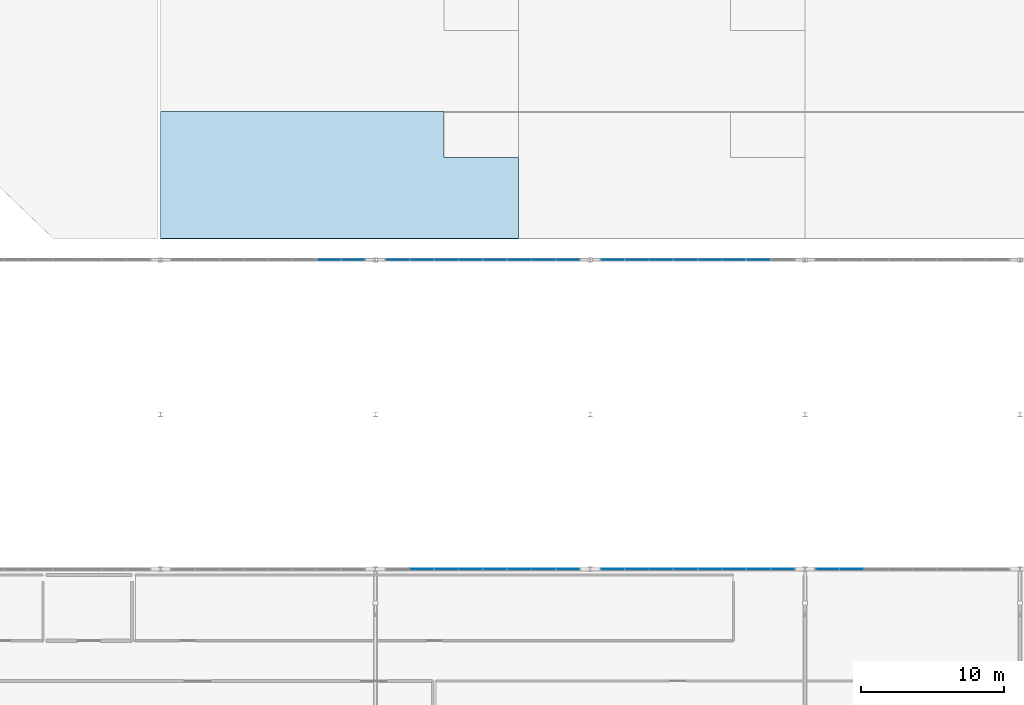
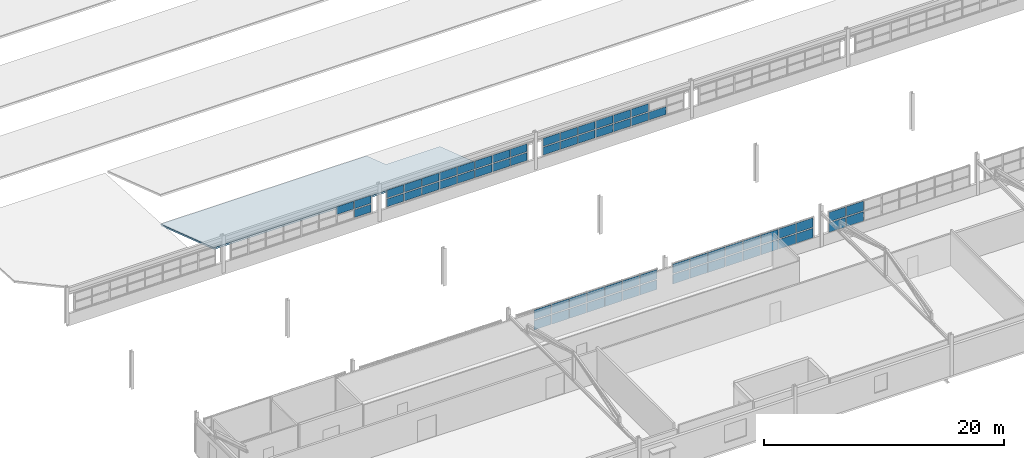
# One storey, part 45 of 90: 66 plates, 1 slab, 6 elements without a shape of their own.
"""IFC4 building model written with IfcOpenShell, lengths in metres."""

import ifcopenshell
import ifcopenshell.guid

model = None  # the IFC model being written
_history = None  # IfcOwnerHistory: only IFC2X3 demands one
_inside = {}  # id of a spatial element -> (the spatial element, [elements in it])
_under = {}  # id of a project, library or spatial element -> (it, [spatial elements below it])
_declared = {}  # id of a project -> (the project, [libraries it declares])
_typed = {}  # id of a type object -> (the type object, [elements of that type])
_made_of = {}  # id of a material, layer set ... -> (it, [elements and type objects made of it])


def new_model(schema):
    """Start an empty IFC model of exactly this schema.

    Asked for "IFC4X3", IfcOpenShell would pick the latest addendum, in which some entities
    have other attributes; the version numbers below select the first issue.
    IFC2X3 requires an IfcOwnerHistory on every rooted entity: one is made here for all.
    """
    global model, _history
    if schema == "IFC4X3":
        model = ifcopenshell.file(schema_version=(4, 3, 0, 0))
    else:
        model = ifcopenshell.file(schema=schema)
    _inside.clear()
    _under.clear()
    _declared.clear()
    _typed.clear()
    _made_of.clear()
    _history = None
    if model.schema == "IFC2X3":
        org = make("IfcOrganization", Name="unknown")
        user = make(
            "IfcPersonAndOrganization",
            ThePerson=make("IfcPerson", FamilyName="unknown"),
            TheOrganization=org,
        )
        app = make(
            "IfcApplication",
            ApplicationDeveloper=org,
            Version="unknown",
            ApplicationFullName="unknown",
            ApplicationIdentifier="unknown",
        )
        _history = make(
            "IfcOwnerHistory",
            OwningUser=user,
            OwningApplication=app,
            ChangeAction="ADDED",
            CreationDate=0,
        )
    return model


def make(cls, **values):
    """One entity of the class cls with the attributes given. An attribute that is None is left unset."""
    return model.create_entity(
        cls, **{name: value for name, value in values.items() if value is not None}
    )


def rooted(cls, **values):
    """An entity with a GlobalId (a new one), such as an element, a storey or a relation."""
    return make(cls, GlobalId=ifcopenshell.guid.new(), OwnerHistory=_history, **values)


def si_unit(unit_type, name, prefix=None):
    """IfcSIUnit, for example si_unit("LENGTHUNIT", "METRE", prefix="MILLI")."""
    return make("IfcSIUnit", UnitType=unit_type, Prefix=prefix, Name=name)


def assignment(units):
    """IfcUnitAssignment: the units of a project."""
    return None if units is None else make("IfcUnitAssignment", Units=units)


def point(xyz):
    """IfcCartesianPoint."""
    return None if xyz is None else make("IfcCartesianPoint", Coordinates=xyz)


def direction(xyz):
    """IfcDirection."""
    return None if xyz is None else make("IfcDirection", DirectionRatios=xyz)


def frame(location, z_axis=None, x_axis=None):
    """IfcAxis2Placement3D, a coordinate frame: its origin and axes. An axis left out is left unset."""
    return make(
        "IfcAxis2Placement3D",
        Location=point(location),
        Axis=direction(z_axis),
        RefDirection=direction(x_axis),
    )


def frame_2d(location, x_axis=None):
    """IfcAxis2Placement2D, a coordinate frame in the plane: its origin and x axis."""
    return make(
        "IfcAxis2Placement2D", Location=point(location), RefDirection=direction(x_axis)
    )


def origin():
    """The frame at (0, 0, 0) with its axes left unset."""
    return frame((0.0, 0.0, 0.0))


def origin_2d():
    """The frame at (0, 0) in the plane with its x axis left unset."""
    return frame_2d((0.0, 0.0))


def place(relative_to, where):
    """IfcLocalPlacement: puts the frame where relative to a parent placement (None: the world)."""
    return make(
        "IfcLocalPlacement", PlacementRelTo=relative_to, RelativePlacement=where
    )


def context(
    kind, dimensions, precision=None, world=None, true_north=None, identifier=None
):
    """IfcGeometricRepresentationContext, for example the 3D "Model" context."""
    return make(
        "IfcGeometricRepresentationContext",
        ContextIdentifier=identifier,
        ContextType=kind,
        CoordinateSpaceDimension=dimensions,
        Precision=precision,
        WorldCoordinateSystem=world,
        TrueNorth=true_north,
    )


def subcontext(parent, identifier, kind, view, scale=None):
    """IfcGeometricRepresentationSubContext, for example "Body" below "Model"."""
    return make(
        "IfcGeometricRepresentationSubContext",
        ContextIdentifier=identifier,
        ContextType=kind,
        ParentContext=parent,
        TargetScale=scale,
        TargetView=view,
    )


def project(units=None, contexts=None):
    """IfcProject with its units and contexts."""
    return rooted(
        "IfcProject",
        Name="project",
        RepresentationContexts=contexts,
        UnitsInContext=assignment(units),
    )


def spatial(cls, under=None, at=None, **own):
    """A site, building, storey or space (cls), placed at a placement, below another one or the project."""
    s = rooted(cls, ObjectPlacement=at, **own)
    if under is not None:
        _under.setdefault(under.id(), (under, []))[1].append(s)
    return s


def polyline(points):
    """IfcPolyline through the points."""
    return make("IfcPolyline", Points=[point(p) for p in points])


def profile(cls, at=None, kind="AREA", **sizes):
    """A parametric profile (cls). Its sizes go by their IFC names, for example OverallWidth=200.0."""
    return make(cls, ProfileType=kind, Position=at, **sizes)


def rectangle(**sizes):
    """IfcRectangleProfileDef."""
    return profile("IfcRectangleProfileDef", **sizes)


def outline(outer, holes=None, kind="AREA"):
    """IfcArbitraryClosedProfileDef: a profile drawn as a closed curve; with holes, ...WithVoids."""
    if holes is None:
        return make("IfcArbitraryClosedProfileDef", ProfileType=kind, OuterCurve=outer)
    return make(
        "IfcArbitraryProfileDefWithVoids",
        ProfileType=kind,
        OuterCurve=outer,
        InnerCurves=holes,
    )


def extrude(swept, where, along, depth):
    """IfcExtrudedAreaSolid: the profile swept, set in the frame where, extruded along a direction by depth."""
    return make(
        "IfcExtrudedAreaSolid",
        SweptArea=swept,
        Position=where,
        ExtrudedDirection=direction(along),
        Depth=depth,
    )


def shape(context_of_items, identifier, shape_type, items):
    """IfcShapeRepresentation: the items that make up one representation, for example the "Body"."""
    return make(
        "IfcShapeRepresentation",
        ContextOfItems=context_of_items,
        RepresentationIdentifier=identifier,
        RepresentationType=shape_type,
        Items=items,
    )


def material(Name=None, Category=None):
    """IfcMaterial."""
    return make("IfcMaterial", Name=Name, Category=Category)


def layer(
    of_material, thickness, ventilated=None, Name=None, Category=None, Priority=None
):
    """IfcMaterialLayer: one layer of a wall or slab, of a material (None: an air gap)."""
    return make(
        "IfcMaterialLayer",
        Material=of_material,
        LayerThickness=thickness,
        IsVentilated=ventilated,
        Name=Name,
        Category=Category,
        Priority=Priority,
    )


def layer_set(layers, Name=None):
    """IfcMaterialLayerSet."""
    return make("IfcMaterialLayerSet", MaterialLayers=layers, LayerSetName=Name)


def made_of(thing, what):
    """Note that an element or type object is made of a material, layer set ...; save() writes the relation."""
    if what is not None:
        _made_of.setdefault(what.id(), (what, []))[1].append(thing)
    return thing


def type_object(cls, material=None, **own):
    """A type object (cls), such as IfcWallType, which elements share."""
    return made_of(rooted(cls, **own), material)


def element(
    cls,
    number,
    at=None,
    inside=None,
    cuts=None,
    type_object=None,
    material=None,
    context=None,
    identifier="Body",
    shape_type=None,
    held_by="IfcProductDefinitionShape",
    body=None,
    shapes=None,
    **own,
):
    """One element of the class cls, such as IfcWall. Its Tag is "e" and its number.

    at: its placement. inside: the storey or other place that contains it. cuts: it is an
    opening in that element (IfcRelVoidsElement). A single representation is given by context,
    identifier, shape_type and body (its items); several are given by shapes. held_by: the class
    of the entity that holds the representations. save() writes the other relations.
    """
    e = rooted(cls, Tag="e%d" % number, ObjectPlacement=at, **own)
    if body is not None:
        shapes = [shape(context, identifier, shape_type, body)]
    if shapes is not None:
        e.Representation = make(held_by, Representations=shapes)
    if inside is not None:
        _inside.setdefault(inside.id(), (inside, []))[1].append(e)
    if cuts is not None:
        rooted(
            "IfcRelVoidsElement", RelatingBuildingElement=cuts, RelatedOpeningElement=e
        )
    if type_object is not None:
        _typed.setdefault(type_object.id(), (type_object, []))[1].append(e)
    return made_of(e, material)


def aggregate(whole, parts):
    """IfcRelAggregates: a whole, such as a stair, and the parts it consists of."""
    return rooted("IfcRelAggregates", RelatingObject=whole, RelatedObjects=parts)


def save(model, path):
    """Write the relations noted so far, then the file.

    IfcRelAggregates (storeys below a building ...), IfcRelContainedInSpatialStructure (elements
    in a storey), IfcRelDefinesByType, IfcRelAssociatesMaterial and IfcRelDeclares: one each for
    every whole, place, type object, material and project.
    """
    for whole, parts in _under.values():
        aggregate(whole, parts)
    for where, things in _inside.values():
        rooted(
            "IfcRelContainedInSpatialStructure",
            RelatedElements=things,
            RelatingStructure=where,
        )
    for kind, things in _typed.values():
        rooted("IfcRelDefinesByType", RelatedObjects=things, RelatingType=kind)
    for what, things in _made_of.values():
        rooted("IfcRelAssociatesMaterial", RelatedObjects=things, RelatingMaterial=what)
    for by, libraries in _declared.values():
        rooted("IfcRelDeclares", RelatingContext=by, RelatedDefinitions=libraries)
    model.write(path)


model = new_model("IFC4")

# Units and contexts
model_context = context("Model", 3, precision=1e-05, world=origin(), true_north=direction((0.0, 1.0)))
body_context = subcontext(model_context, "Body", "Model", "MODEL_VIEW")
ifc_project = project(units=[si_unit("LENGTHUNIT", "METRE"), si_unit("AREAUNIT", "SQUARE_METRE"), si_unit("VOLUMEUNIT", "CUBIC_METRE"), si_unit("PLANEANGLEUNIT", "RADIAN"), si_unit("MASSUNIT", "GRAM", prefix="KILO")], contexts=[model_context])

# Site, building, storey
site_placement = place(None, origin())
site = spatial("IfcSite", under=ifc_project, at=site_placement, CompositionType="ELEMENT")
building_placement = place(site_placement, origin())
building = spatial("IfcBuilding", under=site, at=building_placement, Name="Solanera Park Tramway Depot", CompositionType="ELEMENT")
storey_placement = place(building_placement, frame((0.0, 0.0, 9.0)))
storey = spatial("IfcBuildingStorey", under=building, at=storey_placement, Name="L02", CompositionType="ELEMENT", Elevation=9.0)

# Curtain wall, plates
ifc_material_1 = material(Name="Bronze-anodised thermally broken aluminium curtain wall", Category="aluminium")
curtain_wall_type = type_object("IfcCurtainWallType", Name="Workshop Daylight Ribbon Curtain Wall", PredefinedType="NOTDEFINED", material=ifc_material_1)
curtain_wall_1_placement = place(storey_placement, origin())
curtain_wall_1 = element("IfcCurtainWall", 1, at=curtain_wall_1_placement, inside=storey, type_object=curtain_wall_type, Name="L02 Workshop Daylight Ribbon Curtain Wall #154", PredefinedType="NOTDEFINED")
ifc_material_2 = material(Name="Low-E laminated solar-control double glazing", Category="glass")
ifc_layer_1 = layer(ifc_material_2, 0.028076171875)
ifc_layer_set_1 = layer_set([ifc_layer_1], Name="Low-E laminated solar-control double glazing")
plate_type = type_object("IfcPlateType", Name="Curtain Wall Double Glazing Panel 28", PredefinedType="CURTAIN_PANEL", material=ifc_layer_set_1)
plate_1_placement = place(storey_placement, frame((28.43359375, 54.0, 1.112060546875), z_axis=(0.0, 0.0, 1.0), x_axis=(-1.0, 0.0, 0.0)))
plate_1 = element("IfcPlate", 2, at=plate_1_placement, type_object=plate_type, Name="CW-L02-154 Glazing Panel R1.C1", PredefinedType="CURTAIN_PANEL", context=body_context, shape_type="SweptSolid", body=[
    extrude(rectangle(XDim=1.615478515625, YDim=0.028076171875, at=origin_2d()), origin(), (0.0, 0.0, 1.0), 0.7958984375),
])
plate_2_placement = place(storey_placement, frame((28.43359375, 54.0, 2.011962890625), z_axis=(0.0, 0.0, 1.0), x_axis=(-1.0, 0.0, 0.0)))
plate_2 = element("IfcPlate", 3, at=plate_2_placement, type_object=plate_type, Name="CW-L02-154 Glazing Panel R2.C1", PredefinedType="CURTAIN_PANEL", context=body_context, shape_type="SweptSolid", body=[
    extrude(rectangle(XDim=1.615478515625, YDim=0.028076171875, at=origin_2d()), origin(), (0.0, 0.0, 1.0), 0.7958984375),
])
plate_3_placement = place(storey_placement, frame((26.75, 54.0, 2.011962890625), z_axis=(0.0, 0.0, 1.0), x_axis=(-1.0, 0.0, 0.0)))
plate_3 = element("IfcPlate", 4, at=plate_3_placement, type_object=plate_type, Name="CW-L02-154 Glazing Panel R2.C2", PredefinedType="CURTAIN_PANEL", context=body_context, shape_type="SweptSolid", body=[
    extrude(rectangle(XDim=1.64794921875, YDim=0.028076171875, at=origin_2d()), origin(), (0.0, 0.0, 1.0), 0.7958984375),
])
aggregate(curtain_wall_1, [plate_1, plate_2, plate_3])

curtain_wall_2_placement = place(storey_placement, origin())
curtain_wall_2 = element("IfcCurtainWall", 5, at=curtain_wall_2_placement, inside=storey, type_object=curtain_wall_type, Name="L02 Workshop Daylight Ribbon Curtain Wall #156", PredefinedType="NOTDEFINED")
plate_4_placement = place(storey_placement, frame((43.43359375, 54.0, 1.112060546875), z_axis=(0.0, 0.0, 1.0), x_axis=(-1.0, 0.0, 0.0)))
plate_4 = element("IfcPlate", 6, at=plate_4_placement, type_object=plate_type, Name="CW-L02-156 Glazing Panel R1.C1", PredefinedType="CURTAIN_PANEL", context=body_context, shape_type="SweptSolid", body=[
    extrude(rectangle(XDim=1.615478515625, YDim=0.028076171875, at=origin_2d()), origin(), (0.0, 0.0, 1.0), 0.7958984375),
])
plate_5_placement = place(storey_placement, frame((41.75, 54.0, 1.112060546875), z_axis=(0.0, 0.0, 1.0), x_axis=(-1.0, 0.0, 0.0)))
plate_5 = element("IfcPlate", 7, at=plate_5_placement, type_object=plate_type, Name="CW-L02-156 Glazing Panel R1.C2", PredefinedType="CURTAIN_PANEL", context=body_context, shape_type="SweptSolid", body=[
    extrude(rectangle(XDim=1.64794921875, YDim=0.028076171875, at=origin_2d()), origin(), (0.0, 0.0, 1.0), 0.7958984375),
])
plate_6_placement = place(storey_placement, frame((40.050048828125, 54.0, 1.112060546875), z_axis=(0.0, 0.0, 1.0), x_axis=(-1.0, 0.0, 0.0)))
plate_6 = element("IfcPlate", 8, at=plate_6_placement, type_object=plate_type, Name="CW-L02-156 Glazing Panel R1.C3", PredefinedType="CURTAIN_PANEL", context=body_context, shape_type="SweptSolid", body=[
    extrude(rectangle(XDim=1.64794921875, YDim=0.028076171875, at=origin_2d()), origin(), (0.0, 0.0, 1.0), 0.7958984375),
])
plate_7_placement = place(storey_placement, frame((38.35009765625, 54.0, 1.112060546875), z_axis=(0.0, 0.0, 1.0), x_axis=(-1.0, 0.0, 0.0)))
plate_7 = element("IfcPlate", 9, at=plate_7_placement, type_object=plate_type, Name="CW-L02-156 Glazing Panel R1.C4", PredefinedType="CURTAIN_PANEL", context=body_context, shape_type="SweptSolid", body=[
    extrude(rectangle(XDim=1.64794921875, YDim=0.028076171875, at=origin_2d()), origin(), (0.0, 0.0, 1.0), 0.7958984375),
])
plate_8_placement = place(storey_placement, frame((36.64990234375, 54.0, 1.112060546875), z_axis=(0.0, 0.0, 1.0), x_axis=(-1.0, 0.0, 0.0)))
plate_8 = element("IfcPlate", 10, at=plate_8_placement, type_object=plate_type, Name="CW-L02-156 Glazing Panel R1.C5", PredefinedType="CURTAIN_PANEL", context=body_context, shape_type="SweptSolid", body=[
    extrude(rectangle(XDim=1.64794921875, YDim=0.028076171875, at=origin_2d()), origin(), (0.0, 0.0, 1.0), 0.7958984375),
])
plate_9_placement = place(storey_placement, frame((34.949951171875, 54.0, 1.112060546875), z_axis=(0.0, 0.0, 1.0), x_axis=(-1.0, 0.0, 0.0)))
plate_9 = element("IfcPlate", 11, at=plate_9_placement, type_object=plate_type, Name="CW-L02-156 Glazing Panel R1.C6", PredefinedType="CURTAIN_PANEL", context=body_context, shape_type="SweptSolid", body=[
    extrude(rectangle(XDim=1.64794921875, YDim=0.028076171875, at=origin_2d()), origin(), (0.0, 0.0, 1.0), 0.7958984375),
])
plate_10_placement = place(storey_placement, frame((33.25, 54.0, 1.112060546875), z_axis=(0.0, 0.0, 1.0), x_axis=(-1.0, 0.0, 0.0)))
plate_10 = element("IfcPlate", 12, at=plate_10_placement, type_object=plate_type, Name="CW-L02-156 Glazing Panel R1.C7", PredefinedType="CURTAIN_PANEL", context=body_context, shape_type="SweptSolid", body=[
    extrude(rectangle(XDim=1.64794921875, YDim=0.028076171875, at=origin_2d()), origin(), (0.0, 0.0, 1.0), 0.7958984375),
])
plate_11_placement = place(storey_placement, frame((31.56640625, 54.0, 1.112060546875), z_axis=(0.0, 0.0, 1.0), x_axis=(-1.0, 0.0, 0.0)))
plate_11 = element("IfcPlate", 13, at=plate_11_placement, type_object=plate_type, Name="CW-L02-156 Glazing Panel R1.C8", PredefinedType="CURTAIN_PANEL", context=body_context, shape_type="SweptSolid", body=[
    extrude(rectangle(XDim=1.615478515625, YDim=0.028076171875, at=origin_2d()), origin(), (0.0, 0.0, 1.0), 0.7958984375),
])
plate_12_placement = place(storey_placement, frame((43.43359375, 54.0, 2.011962890625), z_axis=(0.0, 0.0, 1.0), x_axis=(-1.0, 0.0, 0.0)))
plate_12 = element("IfcPlate", 14, at=plate_12_placement, type_object=plate_type, Name="CW-L02-156 Glazing Panel R2.C1", PredefinedType="CURTAIN_PANEL", context=body_context, shape_type="SweptSolid", body=[
    extrude(rectangle(XDim=1.615478515625, YDim=0.028076171875, at=origin_2d()), origin(), (0.0, 0.0, 1.0), 0.7958984375),
])
plate_13_placement = place(storey_placement, frame((41.75, 54.0, 2.011962890625), z_axis=(0.0, 0.0, 1.0), x_axis=(-1.0, 0.0, 0.0)))
plate_13 = element("IfcPlate", 15, at=plate_13_placement, type_object=plate_type, Name="CW-L02-156 Glazing Panel R2.C2", PredefinedType="CURTAIN_PANEL", context=body_context, shape_type="SweptSolid", body=[
    extrude(rectangle(XDim=1.64794921875, YDim=0.028076171875, at=origin_2d()), origin(), (0.0, 0.0, 1.0), 0.7958984375),
])
plate_14_placement = place(storey_placement, frame((40.050048828125, 54.0, 2.011962890625), z_axis=(0.0, 0.0, 1.0), x_axis=(-1.0, 0.0, 0.0)))
plate_14 = element("IfcPlate", 16, at=plate_14_placement, type_object=plate_type, Name="CW-L02-156 Glazing Panel R2.C3", PredefinedType="CURTAIN_PANEL", context=body_context, shape_type="SweptSolid", body=[
    extrude(rectangle(XDim=1.64794921875, YDim=0.028076171875, at=origin_2d()), origin(), (0.0, 0.0, 1.0), 0.7958984375),
])
plate_15_placement = place(storey_placement, frame((38.35009765625, 54.0, 2.011962890625), z_axis=(0.0, 0.0, 1.0), x_axis=(-1.0, 0.0, 0.0)))
plate_15 = element("IfcPlate", 17, at=plate_15_placement, type_object=plate_type, Name="CW-L02-156 Glazing Panel R2.C4", PredefinedType="CURTAIN_PANEL", context=body_context, shape_type="SweptSolid", body=[
    extrude(rectangle(XDim=1.64794921875, YDim=0.028076171875, at=origin_2d()), origin(), (0.0, 0.0, 1.0), 0.7958984375),
])
plate_16_placement = place(storey_placement, frame((36.64990234375, 54.0, 2.011962890625), z_axis=(0.0, 0.0, 1.0), x_axis=(-1.0, 0.0, 0.0)))
plate_16 = element("IfcPlate", 18, at=plate_16_placement, type_object=plate_type, Name="CW-L02-156 Glazing Panel R2.C5", PredefinedType="CURTAIN_PANEL", context=body_context, shape_type="SweptSolid", body=[
    extrude(rectangle(XDim=1.64794921875, YDim=0.028076171875, at=origin_2d()), origin(), (0.0, 0.0, 1.0), 0.7958984375),
])
plate_17_placement = place(storey_placement, frame((34.949951171875, 54.0, 2.011962890625), z_axis=(0.0, 0.0, 1.0), x_axis=(-1.0, 0.0, 0.0)))
plate_17 = element("IfcPlate", 19, at=plate_17_placement, type_object=plate_type, Name="CW-L02-156 Glazing Panel R2.C6", PredefinedType="CURTAIN_PANEL", context=body_context, shape_type="SweptSolid", body=[
    extrude(rectangle(XDim=1.64794921875, YDim=0.028076171875, at=origin_2d()), origin(), (0.0, 0.0, 1.0), 0.7958984375),
])
plate_18_placement = place(storey_placement, frame((33.25, 54.0, 2.011962890625), z_axis=(0.0, 0.0, 1.0), x_axis=(-1.0, 0.0, 0.0)))
plate_18 = element("IfcPlate", 20, at=plate_18_placement, type_object=plate_type, Name="CW-L02-156 Glazing Panel R2.C7", PredefinedType="CURTAIN_PANEL", context=body_context, shape_type="SweptSolid", body=[
    extrude(rectangle(XDim=1.64794921875, YDim=0.028076171875, at=origin_2d()), origin(), (0.0, 0.0, 1.0), 0.7958984375),
])
plate_19_placement = place(storey_placement, frame((31.56640625, 54.0, 2.011962890625), z_axis=(0.0, 0.0, 1.0), x_axis=(-1.0, 0.0, 0.0)))
plate_19 = element("IfcPlate", 21, at=plate_19_placement, type_object=plate_type, Name="CW-L02-156 Glazing Panel R2.C8", PredefinedType="CURTAIN_PANEL", context=body_context, shape_type="SweptSolid", body=[
    extrude(rectangle(XDim=1.615478515625, YDim=0.028076171875, at=origin_2d()), origin(), (0.0, 0.0, 1.0), 0.7958984375),
])
aggregate(curtain_wall_2, [plate_4, plate_5, plate_6, plate_7, plate_8, plate_9, plate_10, plate_11, plate_12, plate_13, plate_14, plate_15, plate_16, plate_17, plate_18, plate_19])

curtain_wall_3_placement = place(storey_placement, origin())
curtain_wall_3 = element("IfcCurtainWall", 22, at=curtain_wall_3_placement, inside=storey, type_object=curtain_wall_type, Name="L02 Workshop Daylight Ribbon Curtain Wall #157", PredefinedType="NOTDEFINED")
plate_20_placement = place(storey_placement, frame((33.25, 32.39990234375, 1.112060546875), z_axis=(0.0, 0.0, 1.0), x_axis=(1.0, 0.0, 0.0)))
plate_20 = element("IfcPlate", 23, at=plate_20_placement, type_object=plate_type, Name="CW-L02-157 Glazing Panel R1.C2", PredefinedType="CURTAIN_PANEL", context=body_context, shape_type="SweptSolid", body=[
    extrude(rectangle(XDim=1.64794921875, YDim=0.028076171875, at=origin_2d()), origin(), (0.0, 0.0, 1.0), 0.9609375),
])
plate_21_placement = place(storey_placement, frame((34.949951171875, 32.39990234375, 1.112060546875), z_axis=(0.0, 0.0, 1.0), x_axis=(1.0, 0.0, 0.0)))
plate_21 = element("IfcPlate", 24, at=plate_21_placement, type_object=plate_type, Name="CW-L02-157 Glazing Panel R1.C3", PredefinedType="CURTAIN_PANEL", context=body_context, shape_type="SweptSolid", body=[
    extrude(rectangle(XDim=1.64794921875, YDim=0.028076171875, at=origin_2d()), origin(), (0.0, 0.0, 1.0), 0.9609375),
])
plate_22_placement = place(storey_placement, frame((36.64990234375, 32.39990234375, 1.112060546875), z_axis=(0.0, 0.0, 1.0), x_axis=(1.0, 0.0, 0.0)))
plate_22 = element("IfcPlate", 25, at=plate_22_placement, type_object=plate_type, Name="CW-L02-157 Glazing Panel R1.C4", PredefinedType="CURTAIN_PANEL", context=body_context, shape_type="SweptSolid", body=[
    extrude(rectangle(XDim=1.64794921875, YDim=0.028076171875, at=origin_2d()), origin(), (0.0, 0.0, 1.0), 0.9609375),
])
plate_23_placement = place(storey_placement, frame((38.35009765625, 32.39990234375, 1.112060546875), z_axis=(0.0, 0.0, 1.0), x_axis=(1.0, 0.0, 0.0)))
plate_23 = element("IfcPlate", 26, at=plate_23_placement, type_object=plate_type, Name="CW-L02-157 Glazing Panel R1.C5", PredefinedType="CURTAIN_PANEL", context=body_context, shape_type="SweptSolid", body=[
    extrude(rectangle(XDim=1.64794921875, YDim=0.028076171875, at=origin_2d()), origin(), (0.0, 0.0, 1.0), 0.9609375),
])
plate_24_placement = place(storey_placement, frame((40.050048828125, 32.39990234375, 1.112060546875), z_axis=(0.0, 0.0, 1.0), x_axis=(1.0, 0.0, 0.0)))
plate_24 = element("IfcPlate", 27, at=plate_24_placement, type_object=plate_type, Name="CW-L02-157 Glazing Panel R1.C6", PredefinedType="CURTAIN_PANEL", context=body_context, shape_type="SweptSolid", body=[
    extrude(rectangle(XDim=1.64794921875, YDim=0.028076171875, at=origin_2d()), origin(), (0.0, 0.0, 1.0), 0.9609375),
])
plate_25_placement = place(storey_placement, frame((41.75, 32.39990234375, 1.112060546875), z_axis=(0.0, 0.0, 1.0), x_axis=(1.0, 0.0, 0.0)))
plate_25 = element("IfcPlate", 28, at=plate_25_placement, type_object=plate_type, Name="CW-L02-157 Glazing Panel R1.C7", PredefinedType="CURTAIN_PANEL", context=body_context, shape_type="SweptSolid", body=[
    extrude(rectangle(XDim=1.64794921875, YDim=0.028076171875, at=origin_2d()), origin(), (0.0, 0.0, 1.0), 0.9609375),
])
plate_26_placement = place(storey_placement, frame((43.43359375, 32.39990234375, 1.112060546875), z_axis=(0.0, 0.0, 1.0), x_axis=(1.0, 0.0, 0.0)))
plate_26 = element("IfcPlate", 29, at=plate_26_placement, type_object=plate_type, Name="CW-L02-157 Glazing Panel R1.C8", PredefinedType="CURTAIN_PANEL", context=body_context, shape_type="SweptSolid", body=[
    extrude(rectangle(XDim=1.615478515625, YDim=0.028076171875, at=origin_2d()), origin(), (0.0, 0.0, 1.0), 0.9609375),
])
plate_27_placement = place(storey_placement, frame((33.25, 32.39990234375, 2.177001953125), z_axis=(0.0, 0.0, 1.0), x_axis=(1.0, 0.0, 0.0)))
plate_27 = element("IfcPlate", 30, at=plate_27_placement, type_object=plate_type, Name="CW-L02-157 Glazing Panel R2.C2", PredefinedType="CURTAIN_PANEL", context=body_context, shape_type="SweptSolid", body=[
    extrude(rectangle(XDim=1.64794921875, YDim=0.028076171875, at=origin_2d()), origin(), (0.0, 0.0, 1.0), 0.9609375),
])
plate_28_placement = place(storey_placement, frame((34.949951171875, 32.39990234375, 2.177001953125), z_axis=(0.0, 0.0, 1.0), x_axis=(1.0, 0.0, 0.0)))
plate_28 = element("IfcPlate", 31, at=plate_28_placement, type_object=plate_type, Name="CW-L02-157 Glazing Panel R2.C3", PredefinedType="CURTAIN_PANEL", context=body_context, shape_type="SweptSolid", body=[
    extrude(rectangle(XDim=1.64794921875, YDim=0.028076171875, at=origin_2d()), origin(), (0.0, 0.0, 1.0), 0.9609375),
])
plate_29_placement = place(storey_placement, frame((36.64990234375, 32.39990234375, 2.177001953125), z_axis=(0.0, 0.0, 1.0), x_axis=(1.0, 0.0, 0.0)))
plate_29 = element("IfcPlate", 32, at=plate_29_placement, type_object=plate_type, Name="CW-L02-157 Glazing Panel R2.C4", PredefinedType="CURTAIN_PANEL", context=body_context, shape_type="SweptSolid", body=[
    extrude(rectangle(XDim=1.64794921875, YDim=0.028076171875, at=origin_2d()), origin(), (0.0, 0.0, 1.0), 0.9609375),
])
plate_30_placement = place(storey_placement, frame((38.35009765625, 32.39990234375, 2.177001953125), z_axis=(0.0, 0.0, 1.0), x_axis=(1.0, 0.0, 0.0)))
plate_30 = element("IfcPlate", 33, at=plate_30_placement, type_object=plate_type, Name="CW-L02-157 Glazing Panel R2.C5", PredefinedType="CURTAIN_PANEL", context=body_context, shape_type="SweptSolid", body=[
    extrude(rectangle(XDim=1.64794921875, YDim=0.028076171875, at=origin_2d()), origin(), (0.0, 0.0, 1.0), 0.9609375),
])
plate_31_placement = place(storey_placement, frame((40.050048828125, 32.39990234375, 2.177001953125), z_axis=(0.0, 0.0, 1.0), x_axis=(1.0, 0.0, 0.0)))
plate_31 = element("IfcPlate", 34, at=plate_31_placement, type_object=plate_type, Name="CW-L02-157 Glazing Panel R2.C6", PredefinedType="CURTAIN_PANEL", context=body_context, shape_type="SweptSolid", body=[
    extrude(rectangle(XDim=1.64794921875, YDim=0.028076171875, at=origin_2d()), origin(), (0.0, 0.0, 1.0), 0.9609375),
])
plate_32_placement = place(storey_placement, frame((41.75, 32.39990234375, 2.177001953125), z_axis=(0.0, 0.0, 1.0), x_axis=(1.0, 0.0, 0.0)))
plate_32 = element("IfcPlate", 35, at=plate_32_placement, type_object=plate_type, Name="CW-L02-157 Glazing Panel R2.C7", PredefinedType="CURTAIN_PANEL", context=body_context, shape_type="SweptSolid", body=[
    extrude(rectangle(XDim=1.64794921875, YDim=0.028076171875, at=origin_2d()), origin(), (0.0, 0.0, 1.0), 0.9609375),
])
plate_33_placement = place(storey_placement, frame((43.43359375, 32.39990234375, 2.177001953125), z_axis=(0.0, 0.0, 1.0), x_axis=(1.0, 0.0, 0.0)))
plate_33 = element("IfcPlate", 36, at=plate_33_placement, type_object=plate_type, Name="CW-L02-157 Glazing Panel R2.C8", PredefinedType="CURTAIN_PANEL", context=body_context, shape_type="SweptSolid", body=[
    extrude(rectangle(XDim=1.615478515625, YDim=0.028076171875, at=origin_2d()), origin(), (0.0, 0.0, 1.0), 0.9609375),
])
aggregate(curtain_wall_3, [plate_20, plate_21, plate_22, plate_23, plate_24, plate_25, plate_26, plate_27, plate_28, plate_29, plate_30, plate_31, plate_32, plate_33])

curtain_wall_4_placement = place(storey_placement, origin())
curtain_wall_4 = element("IfcCurtainWall", 37, at=curtain_wall_4_placement, inside=storey, type_object=curtain_wall_type, Name="L02 Workshop Daylight Ribbon Curtain Wall #158", PredefinedType="NOTDEFINED")
plate_34_placement = place(storey_placement, frame((56.75, 54.0, 1.112060546875), z_axis=(0.0, 0.0, 1.0), x_axis=(-1.0, 0.0, 0.0)))
plate_34 = element("IfcPlate", 38, at=plate_34_placement, type_object=plate_type, Name="CW-L02-158 Glazing Panel R1.C2", PredefinedType="CURTAIN_PANEL", context=body_context, shape_type="SweptSolid", body=[
    extrude(rectangle(XDim=1.64794921875, YDim=0.028076171875, at=origin_2d()), origin(), (0.0, 0.0, 1.0), 0.7958984375),
])
plate_35_placement = place(storey_placement, frame((55.050048828125, 54.0, 1.112060546875), z_axis=(0.0, 0.0, 1.0), x_axis=(-1.0, 0.0, 0.0)))
plate_35 = element("IfcPlate", 39, at=plate_35_placement, type_object=plate_type, Name="CW-L02-158 Glazing Panel R1.C3", PredefinedType="CURTAIN_PANEL", context=body_context, shape_type="SweptSolid", body=[
    extrude(rectangle(XDim=1.64794921875, YDim=0.028076171875, at=origin_2d()), origin(), (0.0, 0.0, 1.0), 0.7958984375),
])
plate_36_placement = place(storey_placement, frame((53.35009765625, 54.0, 1.112060546875), z_axis=(0.0, 0.0, 1.0), x_axis=(-1.0, 0.0, 0.0)))
plate_36 = element("IfcPlate", 40, at=plate_36_placement, type_object=plate_type, Name="CW-L02-158 Glazing Panel R1.C4", PredefinedType="CURTAIN_PANEL", context=body_context, shape_type="SweptSolid", body=[
    extrude(rectangle(XDim=1.64794921875, YDim=0.028076171875, at=origin_2d()), origin(), (0.0, 0.0, 1.0), 0.7958984375),
])
plate_37_placement = place(storey_placement, frame((51.64990234375, 54.0, 1.112060546875), z_axis=(0.0, 0.0, 1.0), x_axis=(-1.0, 0.0, 0.0)))
plate_37 = element("IfcPlate", 41, at=plate_37_placement, type_object=plate_type, Name="CW-L02-158 Glazing Panel R1.C5", PredefinedType="CURTAIN_PANEL", context=body_context, shape_type="SweptSolid", body=[
    extrude(rectangle(XDim=1.64794921875, YDim=0.028076171875, at=origin_2d()), origin(), (0.0, 0.0, 1.0), 0.7958984375),
])
plate_38_placement = place(storey_placement, frame((49.949951171875, 54.0, 1.112060546875), z_axis=(0.0, 0.0, 1.0), x_axis=(-1.0, 0.0, 0.0)))
plate_38 = element("IfcPlate", 42, at=plate_38_placement, type_object=plate_type, Name="CW-L02-158 Glazing Panel R1.C6", PredefinedType="CURTAIN_PANEL", context=body_context, shape_type="SweptSolid", body=[
    extrude(rectangle(XDim=1.64794921875, YDim=0.028076171875, at=origin_2d()), origin(), (0.0, 0.0, 1.0), 0.7958984375),
])
plate_39_placement = place(storey_placement, frame((48.25, 54.0, 1.112060546875), z_axis=(0.0, 0.0, 1.0), x_axis=(-1.0, 0.0, 0.0)))
plate_39 = element("IfcPlate", 43, at=plate_39_placement, type_object=plate_type, Name="CW-L02-158 Glazing Panel R1.C7", PredefinedType="CURTAIN_PANEL", context=body_context, shape_type="SweptSolid", body=[
    extrude(rectangle(XDim=1.64794921875, YDim=0.028076171875, at=origin_2d()), origin(), (0.0, 0.0, 1.0), 0.7958984375),
])
plate_40_placement = place(storey_placement, frame((46.56640625, 54.0, 1.112060546875), z_axis=(0.0, 0.0, 1.0), x_axis=(-1.0, 0.0, 0.0)))
plate_40 = element("IfcPlate", 44, at=plate_40_placement, type_object=plate_type, Name="CW-L02-158 Glazing Panel R1.C8", PredefinedType="CURTAIN_PANEL", context=body_context, shape_type="SweptSolid", body=[
    extrude(rectangle(XDim=1.615478515625, YDim=0.028076171875, at=origin_2d()), origin(), (0.0, 0.0, 1.0), 0.7958984375),
])
plate_41_placement = place(storey_placement, frame((55.050048828125, 54.0, 2.011962890625), z_axis=(0.0, 0.0, 1.0), x_axis=(-1.0, 0.0, 0.0)))
plate_41 = element("IfcPlate", 45, at=plate_41_placement, type_object=plate_type, Name="CW-L02-158 Glazing Panel R2.C3", PredefinedType="CURTAIN_PANEL", context=body_context, shape_type="SweptSolid", body=[
    extrude(rectangle(XDim=1.64794921875, YDim=0.028076171875, at=origin_2d()), origin(), (0.0, 0.0, 1.0), 0.7958984375),
])
plate_42_placement = place(storey_placement, frame((53.35009765625, 54.0, 2.011962890625), z_axis=(0.0, 0.0, 1.0), x_axis=(-1.0, 0.0, 0.0)))
plate_42 = element("IfcPlate", 46, at=plate_42_placement, type_object=plate_type, Name="CW-L02-158 Glazing Panel R2.C4", PredefinedType="CURTAIN_PANEL", context=body_context, shape_type="SweptSolid", body=[
    extrude(rectangle(XDim=1.64794921875, YDim=0.028076171875, at=origin_2d()), origin(), (0.0, 0.0, 1.0), 0.7958984375),
])
plate_43_placement = place(storey_placement, frame((51.64990234375, 54.0, 2.011962890625), z_axis=(0.0, 0.0, 1.0), x_axis=(-1.0, 0.0, 0.0)))
plate_43 = element("IfcPlate", 47, at=plate_43_placement, type_object=plate_type, Name="CW-L02-158 Glazing Panel R2.C5", PredefinedType="CURTAIN_PANEL", context=body_context, shape_type="SweptSolid", body=[
    extrude(rectangle(XDim=1.64794921875, YDim=0.028076171875, at=origin_2d()), origin(), (0.0, 0.0, 1.0), 0.7958984375),
])
plate_44_placement = place(storey_placement, frame((49.949951171875, 54.0, 2.011962890625), z_axis=(0.0, 0.0, 1.0), x_axis=(-1.0, 0.0, 0.0)))
plate_44 = element("IfcPlate", 48, at=plate_44_placement, type_object=plate_type, Name="CW-L02-158 Glazing Panel R2.C6", PredefinedType="CURTAIN_PANEL", context=body_context, shape_type="SweptSolid", body=[
    extrude(rectangle(XDim=1.64794921875, YDim=0.028076171875, at=origin_2d()), origin(), (0.0, 0.0, 1.0), 0.7958984375),
])
plate_45_placement = place(storey_placement, frame((48.25, 54.0, 2.011962890625), z_axis=(0.0, 0.0, 1.0), x_axis=(-1.0, 0.0, 0.0)))
plate_45 = element("IfcPlate", 49, at=plate_45_placement, type_object=plate_type, Name="CW-L02-158 Glazing Panel R2.C7", PredefinedType="CURTAIN_PANEL", context=body_context, shape_type="SweptSolid", body=[
    extrude(rectangle(XDim=1.64794921875, YDim=0.028076171875, at=origin_2d()), origin(), (0.0, 0.0, 1.0), 0.7958984375),
])
plate_46_placement = place(storey_placement, frame((46.56640625, 54.0, 2.011962890625), z_axis=(0.0, 0.0, 1.0), x_axis=(-1.0, 0.0, 0.0)))
plate_46 = element("IfcPlate", 50, at=plate_46_placement, type_object=plate_type, Name="CW-L02-158 Glazing Panel R2.C8", PredefinedType="CURTAIN_PANEL", context=body_context, shape_type="SweptSolid", body=[
    extrude(rectangle(XDim=1.615478515625, YDim=0.028076171875, at=origin_2d()), origin(), (0.0, 0.0, 1.0), 0.7958984375),
])
aggregate(curtain_wall_4, [plate_34, plate_35, plate_36, plate_37, plate_38, plate_39, plate_40, plate_41, plate_42, plate_43, plate_44, plate_45, plate_46])

curtain_wall_5_placement = place(storey_placement, origin())
curtain_wall_5 = element("IfcCurtainWall", 51, at=curtain_wall_5_placement, inside=storey, type_object=curtain_wall_type, Name="L02 Workshop Daylight Ribbon Curtain Wall #159", PredefinedType="NOTDEFINED")
plate_47_placement = place(storey_placement, frame((46.56640625, 32.39990234375, 1.112060546875), z_axis=(0.0, 0.0, 1.0), x_axis=(1.0, 0.0, 0.0)))
plate_47 = element("IfcPlate", 52, at=plate_47_placement, type_object=plate_type, Name="CW-L02-159 Glazing Panel R1.C1", PredefinedType="CURTAIN_PANEL", context=body_context, shape_type="SweptSolid", body=[
    extrude(rectangle(XDim=1.615478515625, YDim=0.028076171875, at=origin_2d()), origin(), (0.0, 0.0, 1.0), 0.9609375),
])
plate_48_placement = place(storey_placement, frame((48.25, 32.39990234375, 1.112060546875), z_axis=(0.0, 0.0, 1.0), x_axis=(1.0, 0.0, 0.0)))
plate_48 = element("IfcPlate", 53, at=plate_48_placement, type_object=plate_type, Name="CW-L02-159 Glazing Panel R1.C2", PredefinedType="CURTAIN_PANEL", context=body_context, shape_type="SweptSolid", body=[
    extrude(rectangle(XDim=1.64794921875, YDim=0.028076171875, at=origin_2d()), origin(), (0.0, 0.0, 1.0), 0.9609375),
])
plate_49_placement = place(storey_placement, frame((49.949951171875, 32.39990234375, 1.112060546875), z_axis=(0.0, 0.0, 1.0), x_axis=(1.0, 0.0, 0.0)))
plate_49 = element("IfcPlate", 54, at=plate_49_placement, type_object=plate_type, Name="CW-L02-159 Glazing Panel R1.C3", PredefinedType="CURTAIN_PANEL", context=body_context, shape_type="SweptSolid", body=[
    extrude(rectangle(XDim=1.64794921875, YDim=0.028076171875, at=origin_2d()), origin(), (0.0, 0.0, 1.0), 0.9609375),
])
plate_50_placement = place(storey_placement, frame((51.64990234375, 32.39990234375, 1.112060546875), z_axis=(0.0, 0.0, 1.0), x_axis=(1.0, 0.0, 0.0)))
plate_50 = element("IfcPlate", 55, at=plate_50_placement, type_object=plate_type, Name="CW-L02-159 Glazing Panel R1.C4", PredefinedType="CURTAIN_PANEL", context=body_context, shape_type="SweptSolid", body=[
    extrude(rectangle(XDim=1.64794921875, YDim=0.028076171875, at=origin_2d()), origin(), (0.0, 0.0, 1.0), 0.9609375),
])
plate_51_placement = place(storey_placement, frame((53.35009765625, 32.39990234375, 1.112060546875), z_axis=(0.0, 0.0, 1.0), x_axis=(1.0, 0.0, 0.0)))
plate_51 = element("IfcPlate", 56, at=plate_51_placement, type_object=plate_type, Name="CW-L02-159 Glazing Panel R1.C5", PredefinedType="CURTAIN_PANEL", context=body_context, shape_type="SweptSolid", body=[
    extrude(rectangle(XDim=1.64794921875, YDim=0.028076171875, at=origin_2d()), origin(), (0.0, 0.0, 1.0), 0.9609375),
])
plate_52_placement = place(storey_placement, frame((55.050048828125, 32.39990234375, 1.112060546875), z_axis=(0.0, 0.0, 1.0), x_axis=(1.0, 0.0, 0.0)))
plate_52 = element("IfcPlate", 57, at=plate_52_placement, type_object=plate_type, Name="CW-L02-159 Glazing Panel R1.C6", PredefinedType="CURTAIN_PANEL", context=body_context, shape_type="SweptSolid", body=[
    extrude(rectangle(XDim=1.64794921875, YDim=0.028076171875, at=origin_2d()), origin(), (0.0, 0.0, 1.0), 0.9609375),
])
plate_53_placement = place(storey_placement, frame((56.75, 32.39990234375, 1.112060546875), z_axis=(0.0, 0.0, 1.0), x_axis=(1.0, 0.0, 0.0)))
plate_53 = element("IfcPlate", 58, at=plate_53_placement, type_object=plate_type, Name="CW-L02-159 Glazing Panel R1.C7", PredefinedType="CURTAIN_PANEL", context=body_context, shape_type="SweptSolid", body=[
    extrude(rectangle(XDim=1.64794921875, YDim=0.028076171875, at=origin_2d()), origin(), (0.0, 0.0, 1.0), 0.9609375),
])
plate_54_placement = place(storey_placement, frame((58.43359375, 32.39990234375, 1.112060546875), z_axis=(0.0, 0.0, 1.0), x_axis=(1.0, 0.0, 0.0)))
plate_54 = element("IfcPlate", 59, at=plate_54_placement, type_object=plate_type, Name="CW-L02-159 Glazing Panel R1.C8", PredefinedType="CURTAIN_PANEL", context=body_context, shape_type="SweptSolid", body=[
    extrude(rectangle(XDim=1.615478515625, YDim=0.028076171875, at=origin_2d()), origin(), (0.0, 0.0, 1.0), 0.9609375),
])
plate_55_placement = place(storey_placement, frame((46.56640625, 32.39990234375, 2.177001953125), z_axis=(0.0, 0.0, 1.0), x_axis=(1.0, 0.0, 0.0)))
plate_55 = element("IfcPlate", 60, at=plate_55_placement, type_object=plate_type, Name="CW-L02-159 Glazing Panel R2.C1", PredefinedType="CURTAIN_PANEL", context=body_context, shape_type="SweptSolid", body=[
    extrude(rectangle(XDim=1.615478515625, YDim=0.028076171875, at=origin_2d()), origin(), (0.0, 0.0, 1.0), 0.9609375),
])
plate_56_placement = place(storey_placement, frame((48.25, 32.39990234375, 2.177001953125), z_axis=(0.0, 0.0, 1.0), x_axis=(1.0, 0.0, 0.0)))
plate_56 = element("IfcPlate", 61, at=plate_56_placement, type_object=plate_type, Name="CW-L02-159 Glazing Panel R2.C2", PredefinedType="CURTAIN_PANEL", context=body_context, shape_type="SweptSolid", body=[
    extrude(rectangle(XDim=1.64794921875, YDim=0.028076171875, at=origin_2d()), origin(), (0.0, 0.0, 1.0), 0.9609375),
])
plate_57_placement = place(storey_placement, frame((49.949951171875, 32.39990234375, 2.177001953125), z_axis=(0.0, 0.0, 1.0), x_axis=(1.0, 0.0, 0.0)))
plate_57 = element("IfcPlate", 62, at=plate_57_placement, type_object=plate_type, Name="CW-L02-159 Glazing Panel R2.C3", PredefinedType="CURTAIN_PANEL", context=body_context, shape_type="SweptSolid", body=[
    extrude(rectangle(XDim=1.64794921875, YDim=0.028076171875, at=origin_2d()), origin(), (0.0, 0.0, 1.0), 0.9609375),
])
plate_58_placement = place(storey_placement, frame((51.64990234375, 32.39990234375, 2.177001953125), z_axis=(0.0, 0.0, 1.0), x_axis=(1.0, 0.0, 0.0)))
plate_58 = element("IfcPlate", 63, at=plate_58_placement, type_object=plate_type, Name="CW-L02-159 Glazing Panel R2.C4", PredefinedType="CURTAIN_PANEL", context=body_context, shape_type="SweptSolid", body=[
    extrude(rectangle(XDim=1.64794921875, YDim=0.028076171875, at=origin_2d()), origin(), (0.0, 0.0, 1.0), 0.9609375),
])
plate_59_placement = place(storey_placement, frame((53.35009765625, 32.39990234375, 2.177001953125), z_axis=(0.0, 0.0, 1.0), x_axis=(1.0, 0.0, 0.0)))
plate_59 = element("IfcPlate", 64, at=plate_59_placement, type_object=plate_type, Name="CW-L02-159 Glazing Panel R2.C5", PredefinedType="CURTAIN_PANEL", context=body_context, shape_type="SweptSolid", body=[
    extrude(rectangle(XDim=1.64794921875, YDim=0.028076171875, at=origin_2d()), origin(), (0.0, 0.0, 1.0), 0.9609375),
])
plate_60_placement = place(storey_placement, frame((55.050048828125, 32.39990234375, 2.177001953125), z_axis=(0.0, 0.0, 1.0), x_axis=(1.0, 0.0, 0.0)))
plate_60 = element("IfcPlate", 65, at=plate_60_placement, type_object=plate_type, Name="CW-L02-159 Glazing Panel R2.C6", PredefinedType="CURTAIN_PANEL", context=body_context, shape_type="SweptSolid", body=[
    extrude(rectangle(XDim=1.64794921875, YDim=0.028076171875, at=origin_2d()), origin(), (0.0, 0.0, 1.0), 0.9609375),
])
plate_61_placement = place(storey_placement, frame((56.75, 32.39990234375, 2.177001953125), z_axis=(0.0, 0.0, 1.0), x_axis=(1.0, 0.0, 0.0)))
plate_61 = element("IfcPlate", 66, at=plate_61_placement, type_object=plate_type, Name="CW-L02-159 Glazing Panel R2.C7", PredefinedType="CURTAIN_PANEL", context=body_context, shape_type="SweptSolid", body=[
    extrude(rectangle(XDim=1.64794921875, YDim=0.028076171875, at=origin_2d()), origin(), (0.0, 0.0, 1.0), 0.9609375),
])
plate_62_placement = place(storey_placement, frame((58.43359375, 32.39990234375, 2.177001953125), z_axis=(0.0, 0.0, 1.0), x_axis=(1.0, 0.0, 0.0)))
plate_62 = element("IfcPlate", 67, at=plate_62_placement, type_object=plate_type, Name="CW-L02-159 Glazing Panel R2.C8", PredefinedType="CURTAIN_PANEL", context=body_context, shape_type="SweptSolid", body=[
    extrude(rectangle(XDim=1.615478515625, YDim=0.028076171875, at=origin_2d()), origin(), (0.0, 0.0, 1.0), 0.9609375),
])
aggregate(curtain_wall_5, [plate_47, plate_48, plate_49, plate_50, plate_51, plate_52, plate_53, plate_54, plate_55, plate_56, plate_57, plate_58, plate_59, plate_60, plate_61, plate_62])

curtain_wall_6_placement = place(storey_placement, origin())
curtain_wall_6 = element("IfcCurtainWall", 68, at=curtain_wall_6_placement, inside=storey, type_object=curtain_wall_type, Name="L02 Workshop Daylight Ribbon Curtain Wall #161", PredefinedType="NOTDEFINED")
plate_63_placement = place(storey_placement, frame((61.56640625, 32.39990234375, 1.112060546875), z_axis=(0.0, 0.0, 1.0), x_axis=(1.0, 0.0, 0.0)))
plate_63 = element("IfcPlate", 69, at=plate_63_placement, type_object=plate_type, Name="CW-L02-161 Glazing Panel R1.C1", PredefinedType="CURTAIN_PANEL", context=body_context, shape_type="SweptSolid", body=[
    extrude(rectangle(XDim=1.615478515625, YDim=0.028076171875, at=origin_2d()), origin(), (0.0, 0.0, 1.0), 0.9609375),
])
plate_64_placement = place(storey_placement, frame((63.25, 32.39990234375, 1.112060546875), z_axis=(0.0, 0.0, 1.0), x_axis=(1.0, 0.0, 0.0)))
plate_64 = element("IfcPlate", 70, at=plate_64_placement, type_object=plate_type, Name="CW-L02-161 Glazing Panel R1.C2", PredefinedType="CURTAIN_PANEL", context=body_context, shape_type="SweptSolid", body=[
    extrude(rectangle(XDim=1.64794921875, YDim=0.028076171875, at=origin_2d()), origin(), (0.0, 0.0, 1.0), 0.9609375),
])
plate_65_placement = place(storey_placement, frame((61.56640625, 32.39990234375, 2.177001953125), z_axis=(0.0, 0.0, 1.0), x_axis=(1.0, 0.0, 0.0)))
plate_65 = element("IfcPlate", 71, at=plate_65_placement, type_object=plate_type, Name="CW-L02-161 Glazing Panel R2.C1", PredefinedType="CURTAIN_PANEL", context=body_context, shape_type="SweptSolid", body=[
    extrude(rectangle(XDim=1.615478515625, YDim=0.028076171875, at=origin_2d()), origin(), (0.0, 0.0, 1.0), 0.9609375),
])
plate_66_placement = place(storey_placement, frame((63.25, 32.39990234375, 2.177001953125), z_axis=(0.0, 0.0, 1.0), x_axis=(1.0, 0.0, 0.0)))
plate_66 = element("IfcPlate", 72, at=plate_66_placement, type_object=plate_type, Name="CW-L02-161 Glazing Panel R2.C2", PredefinedType="CURTAIN_PANEL", context=body_context, shape_type="SweptSolid", body=[
    extrude(rectangle(XDim=1.64794921875, YDim=0.028076171875, at=origin_2d()), origin(), (0.0, 0.0, 1.0), 0.9609375),
])
aggregate(curtain_wall_6, [plate_63, plate_64, plate_65, plate_66])

# Slab
ifc_material_3 = material(Name="Concrete N40 (C40/50)", Category="concrete")
ifc_layer_2 = layer(ifc_material_3, 0.159912109375)
ifc_layer_set_2 = layer_set([ifc_layer_2], Name="Concrete N40 (C40/50)")
slab_type = type_object("IfcSlabType", Name="Slab Roof 160", PredefinedType="ROOF", material=ifc_layer_set_2)
slab_placement = place(storey_placement, frame((15.0, 55.5, 1.561279296875), z_axis=(4.237988e-06, 0.317307245176, 0.948322789002), x_axis=(0.999999999991, -1.344744e-06, -4.018981e-06)))
element("IfcSlab", 73, at=slab_placement, inside=storey, type_object=slab_type, Name="Sawtooth Sloped Roof Slab Bay 01.1", PredefinedType="ROOF", context=body_context, shape_type="SweptSolid", body=[
    extrude(outline(polyline([(0.0, 0.0), (24.999999999775493, 5.293955920339377e-21), (25.000000000486732, 5.957840158679284), (19.80004882865843, 5.957840158679284), (19.800048827760403, 9.332353681252856), (-1.8678790749674832e-10, 9.332353681252856), (0.0, 0.0)])), origin(), (0.0, 0.0, -1.0), 0.159912109375),
])

save(model, "model.ifc")
